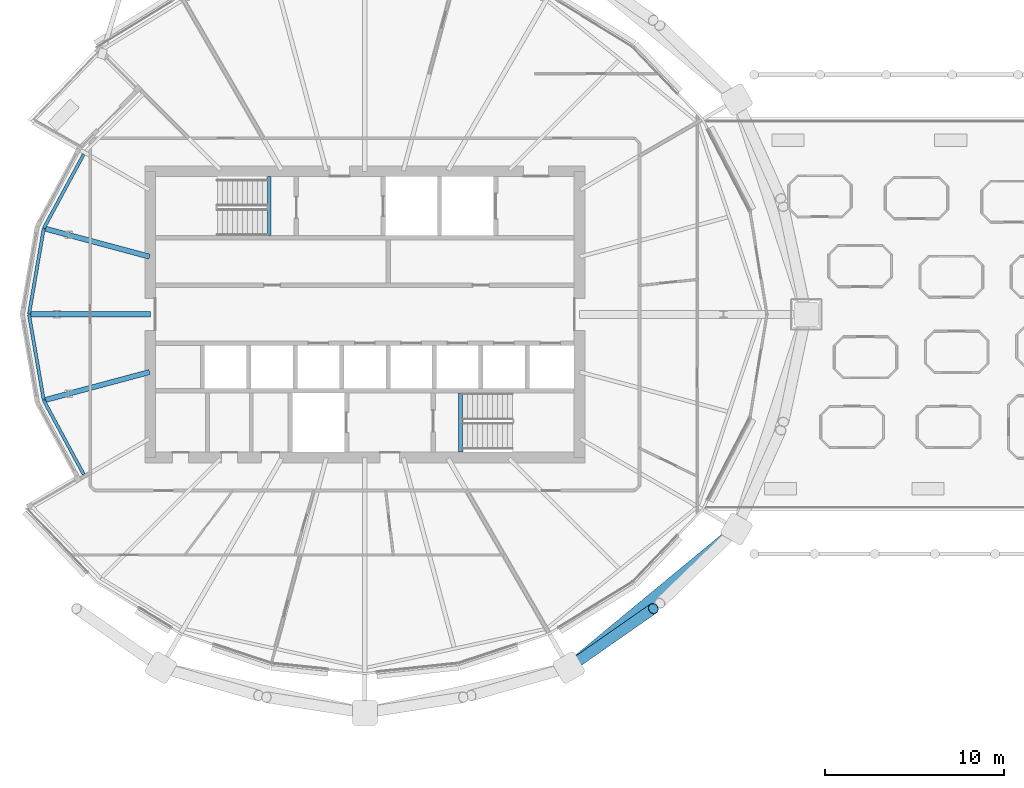
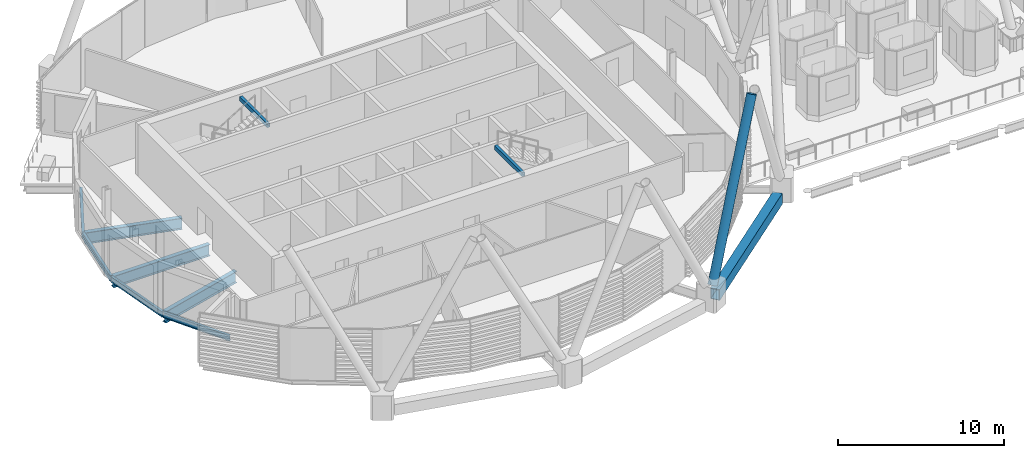
# One storey, part 5 of 38: 10 beams, 1 member.
"""IFC4 building model written with IfcOpenShell, lengths in metres."""

from ifc_helpers import new_model, si_unit, direction, frame, origin, origin_2d, place, context, subcontext, project, spatial, hollow_rectangle, hollow_circle, i_section, extrude, material, material_profile, profile_set, type_object, element, save


model = new_model("IFC4")

# Units and contexts
model_context = context("Model", 3, precision=1e-05, world=origin(), true_north=direction((0.0, 1.0)))
body_context = subcontext(model_context, "Body", "Model", "MODEL_VIEW")
ifc_project = project(units=[si_unit("LENGTHUNIT", "METRE"), si_unit("AREAUNIT", "SQUARE_METRE"), si_unit("VOLUMEUNIT", "CUBIC_METRE"), si_unit("PLANEANGLEUNIT", "RADIAN"), si_unit("MASSUNIT", "GRAM", prefix="KILO")], contexts=[model_context])

# Site, building, storey
site_placement = place(None, origin())
site = spatial("IfcSite", under=ifc_project, at=site_placement, CompositionType="ELEMENT")
building_placement = place(site_placement, origin())
building = spatial("IfcBuilding", under=site, at=building_placement, Name="Rimbun Link Towers", CompositionType="ELEMENT")
storey_placement = place(building_placement, frame((0.0, 0.0, 158.89990234375)))
storey = spatial("IfcBuildingStorey", under=building, at=storey_placement, Name="L38", CompositionType="ELEMENT", Elevation=158.89990234375)

# Member
ifc_material_1 = material(Name="Steel S355J2H", Category="steel")
ifc_material_profile_1 = material_profile(ifc_material_1, hollow_circle(Radius=0.3046875, WallThickness=0.02490234375, at=origin_2d()), Name="Diagrid diagonal CHS 610x25")
ifc_profile_set_1 = profile_set([ifc_material_profile_1], Name="Steel S355J2H")
member_type = type_object("IfcMemberType", Name="Diagrid diagonal CHS 610x25", PredefinedType="BRACE", material=ifc_profile_set_1)
member_placement = place(storey_placement, frame((-20.154052734375, -19.620849609375, 0.442626953125), z_axis=(0.381742033735, 0.266440609862, 0.885032440703), x_axis=(-0.572339011278, 0.820017107242, 0.0)))
element("IfcMember", 1, at=member_placement, inside=storey, type_object=member_type, Name="Diagrid diagonal T1 L38-L41 20b", PredefinedType="BRACE", context=body_context, shape_type="SweptSolid", body=[
    extrude(hollow_circle(Radius=0.3046875, WallThickness=0.02490234375, at=origin_2d()), origin(), (0.0, 0.0, 1.0), 11.880859375),
])

# Beams
ifc_material_2 = material(Name="Steel S355J2", Category="steel")
ifc_material_profile_2 = material_profile(ifc_material_2, hollow_rectangle(XDim=0.60009765625, YDim=0.800048828125, WallThickness=0.0400390625, at=origin_2d()), Name="Exoskeleton ring girder BOX 600x800x40")
ifc_profile_set_2 = profile_set([ifc_material_profile_2], Name="Steel S355J2")
beam_type_1 = type_object("IfcBeamType", Name="Exoskeleton ring girder BOX 600x800x40", PredefinedType="BEAM", material=ifc_profile_set_2)
beam_1_placement = place(storey_placement, frame((-19.80517578125, -19.308349609375, -0.559814453125), z_axis=(0.770956428944, 0.636887890189, 0.0), x_axis=(-0.636887890189, 0.770956428944, 0.0)))
element("IfcBeam", 2, at=beam_1_placement, inside=storey, type_object=beam_type_1, Name="Exoskeleton ring girder L38 07", PredefinedType="BEAM", context=body_context, shape_type="SweptSolid", body=[
    extrude(hollow_rectangle(XDim=0.60009765625, YDim=0.800048828125, WallThickness=0.0400390625, at=origin_2d()), origin(), (0.0, 0.0, 1.0), 10.771240234375),
])
ifc_material_3 = material(Name="Steel S355J2", Category="steel")
ifc_material_profile_3 = material_profile(ifc_material_3, hollow_rectangle(XDim=0.199951171875, YDim=0.300048828125, WallThickness=0.011962890625, at=origin_2d()), Name="BOX 300x200x12")
ifc_profile_set_3 = profile_set([ifc_material_profile_3], Name="Steel S355J2")
beam_type_2 = type_object("IfcBeamType", Name="Stair trimmer beam BOX 300x200x12", PredefinedType="BEAM", material=ifc_profile_set_3)
for number, where, z_axis, x_axis, name in (
    (3, (-37.10009765625, 7.699951171875, 3.5), (0.0, -1.0, 0.0), (1.0, 0.0, 0.0), "L38 ST1 stair beam 1"),
    (4, (-26.39990234375, -7.699951171875, 3.5), (0.0, 1.0, 0.0), (-1.0, 0.0, 0.0), "L38 ST2 stair beam 1"),
):
    element("IfcBeam", number, at=place(storey_placement, frame(where, z_axis=z_axis, x_axis=x_axis)), inside=storey, type_object=beam_type_2, Name=name, PredefinedType="BEAM", context=body_context, shape_type="SweptSolid", body=[
        extrude(hollow_rectangle(XDim=0.199951171875, YDim=0.300048828125, WallThickness=0.011962890625, at=origin_2d()), origin(), (0.0, 0.0, 1.0), 3.300048828125),
    ])
ifc_material_4 = material(Name="Steel S355J2", Category="steel")
ifc_material_profile_4 = material_profile(ifc_material_4, i_section(OverallWidth=0.177978515625, OverallDepth=0.406494140625, WebThickness=0.0078125, FlangeThickness=0.0126953125, at=origin_2d()), Name="UB 406x178x60")
ifc_profile_set_4 = profile_set([ifc_material_profile_4], Name="Steel S355J2")
beam_type_3 = type_object("IfcBeamType", Name="UB 406x178x60", PredefinedType="BEAM", material=ifc_profile_set_4)
beam_2_placement = place(storey_placement, frame((-47.472900390625, 8.95263671875, -0.35302734375), z_axis=(-0.474776447658, -0.880106428081, 0.0), x_axis=(0.880106428081, -0.474776447658, 0.0)))
element("IfcBeam", 5, at=beam_2_placement, inside=storey, type_object=beam_type_3, Name="Edge beam T1 L38 10 recess", PredefinedType="BEAM", context=body_context, shape_type="SweptSolid", body=[
    extrude(i_section(OverallWidth=0.177978515625, OverallDepth=0.406494140625, WebThickness=0.0078125, FlangeThickness=0.0126953125, at=origin_2d()), origin(), (0.0, 0.0, 1.0), 4.689697265625),
])
for number, where, z_axis, x_axis, name in (
    (6, (-49.70947265625, 4.796142578125, -0.35302734375), (-0.169090960301, -0.985600450053, 0.0), (0.985600450053, -0.169090960301, 0.0), "Edge beam T1 L38 11 recess"),
    (7, (-50.529541015625, -0.01611328125, -0.35302734375), (0.169090960301, -0.985600450053, 0.0), (0.985600450053, 0.169090960301, 0.0), "Edge beam T1 L38 12 recess"),
):
    element("IfcBeam", number, at=place(storey_placement, frame(where, z_axis=z_axis, x_axis=x_axis)), inside=storey, type_object=beam_type_3, Name=name, PredefinedType="BEAM", context=body_context, shape_type="SweptSolid", body=[
        extrude(i_section(OverallWidth=0.177978515625, OverallDepth=0.406494140625, WebThickness=0.0078125, FlangeThickness=0.0126953125, at=origin_2d()), origin(), (0.0, 0.0, 1.0), 4.849853515625),
    ])
beam_3_placement = place(storey_placement, frame((-49.699462890625, -4.8251953125, -0.35302734375), z_axis=(0.474776447658, -0.880106428081, 0.0), x_axis=(0.880106428081, 0.474776447658, 0.0)))
element("IfcBeam", 8, at=beam_3_placement, inside=storey, type_object=beam_type_3, Name="Edge beam T1 L38 13 recess", PredefinedType="BEAM", context=body_context, shape_type="SweptSolid", body=[
    extrude(i_section(OverallWidth=0.177978515625, OverallDepth=0.406494140625, WebThickness=0.0078125, FlangeThickness=0.0126953125, at=origin_2d()), origin(), (0.0, 0.0, 1.0), 4.689697265625),
])
ifc_material_5 = material(Name="Steel S355J2", Category="steel")
ifc_material_profile_5 = material_profile(ifc_material_5, i_section(OverallWidth=0.29248046875, OverallDepth=0.8408203125, WebThickness=0.0126953125, FlangeThickness=0.021728515625, at=origin_2d()), Name="UB 838x292x194")
ifc_profile_set_5 = profile_set([ifc_material_profile_5], Name="Steel S355J2")
beam_type_4 = type_object("IfcBeamType", Name="UB 838x292x194", PredefinedType="BEAM", material=ifc_profile_set_5)
beam_4_placement = place(storey_placement, frame((-43.788818359375, 3.225830078125, -0.5703125), z_axis=(-0.965932888353, 0.258792687681, 0.0), x_axis=(-0.258792687681, -0.965932888353, 0.0)))
element("IfcBeam", 9, at=beam_4_placement, inside=storey, type_object=beam_type_4, Name="Radial beam T1 L38 11", PredefinedType="BEAM", context=body_context, shape_type="SweptSolid", body=[
    extrude(i_section(OverallWidth=0.29248046875, OverallDepth=0.8408203125, WebThickness=0.0126953125, FlangeThickness=0.021728515625, at=origin_2d()), origin(), (0.0, 0.0, 1.0), 6.03662109375),
])
beam_5_placement = place(storey_placement, frame((-43.7509765625, 0.0, -0.5703125), z_axis=(-1.0, 0.0, 0.0), x_axis=(0.0, -1.0, 0.0)))
element("IfcBeam", 10, at=beam_5_placement, inside=storey, type_object=beam_type_4, Name="Radial beam T1 L38 12", PredefinedType="BEAM", context=body_context, shape_type="SweptSolid", body=[
    extrude(i_section(OverallWidth=0.29248046875, OverallDepth=0.8408203125, WebThickness=0.0126953125, FlangeThickness=0.021728515625, at=origin_2d()), origin(), (0.0, 0.0, 1.0), 6.69140625),
])
beam_6_placement = place(storey_placement, frame((-43.788818359375, -3.225830078125, -0.5703125), z_axis=(-0.965932888353, -0.258792687681, 0.0), x_axis=(0.258792687681, -0.965932888353, 0.0)))
element("IfcBeam", 11, at=beam_6_placement, inside=storey, type_object=beam_type_4, Name="Radial beam T1 L38 13", PredefinedType="BEAM", context=body_context, shape_type="SweptSolid", body=[
    extrude(i_section(OverallWidth=0.29248046875, OverallDepth=0.8408203125, WebThickness=0.0126953125, FlangeThickness=0.021728515625, at=origin_2d()), origin(), (0.0, 0.0, 1.0), 6.03662109375),
])

save(model, "model.ifc")
